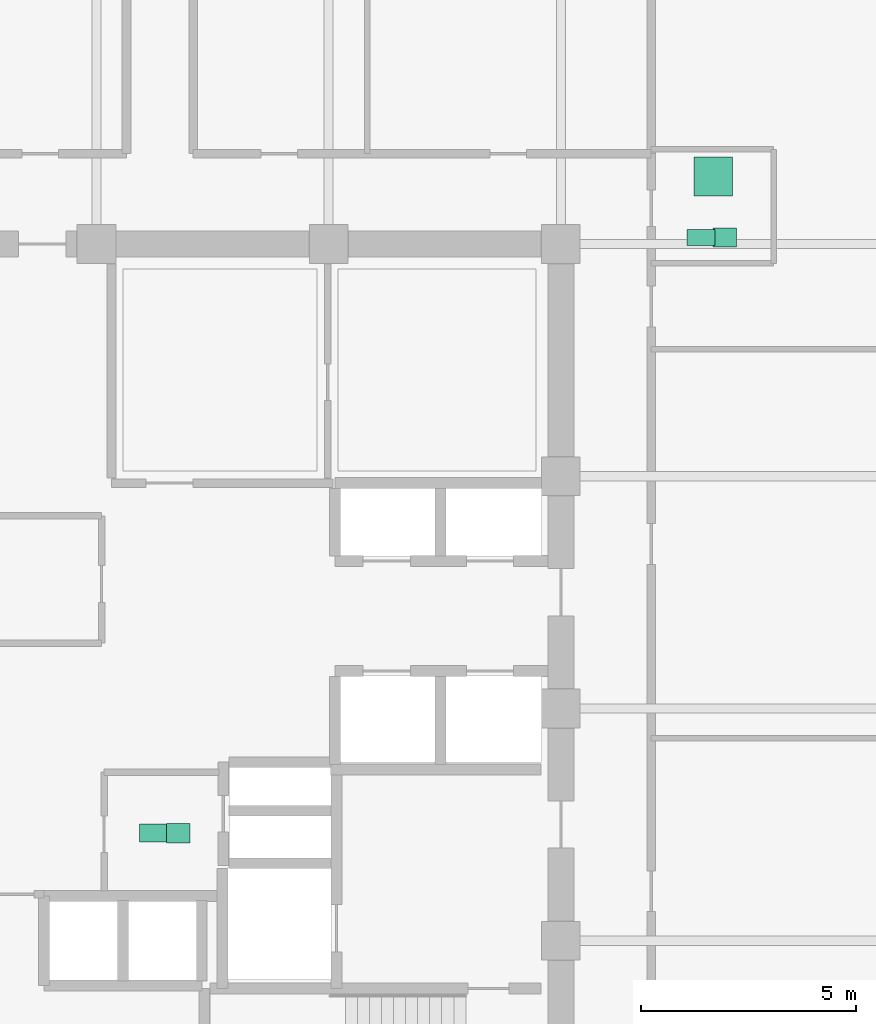
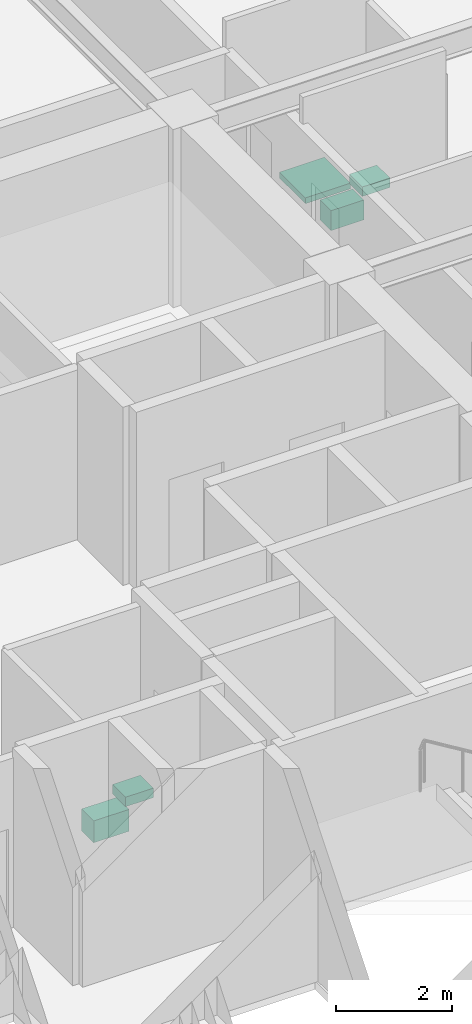
# One storey, part 32 of 32: 5 sanitary terminals.
"""IFC4 building model written with IfcOpenShell, lengths in metres."""

from ifc_helpers import new_model, si_unit, direction, frame, origin, origin_2d, place, context, subcontext, project, spatial, rectangle, extrude, material, type_object, element, save


model = new_model("IFC4")

# Units and contexts
model_context = context("Model", 3, precision=1e-05, world=origin(), true_north=direction((0.0, 1.0)))
body_context = subcontext(model_context, "Body", "Model", "MODEL_VIEW")
ifc_project = project(units=[si_unit("LENGTHUNIT", "METRE"), si_unit("AREAUNIT", "SQUARE_METRE"), si_unit("VOLUMEUNIT", "CUBIC_METRE"), si_unit("PLANEANGLEUNIT", "RADIAN"), si_unit("MASSUNIT", "GRAM", prefix="KILO")], contexts=[model_context])

# Site, building, storey
site_placement = place(None, origin())
site = spatial("IfcSite", under=ifc_project, at=site_placement, CompositionType="ELEMENT")
building_placement = place(site_placement, origin())
building = spatial("IfcBuilding", under=site, at=building_placement, Name="Surkhivell Harbour Commons", CompositionType="ELEMENT")
storey_placement = place(building_placement, frame((0.0, 0.0, 189.75)))
storey = spatial("IfcBuildingStorey", under=building, at=storey_placement, Name="L49", CompositionType="ELEMENT", Elevation=189.75)

# Sanitary terminals
ifc_material_1 = material(Name="Vitreous china washbasin", Category="other")
sanitary_terminal_type_1 = type_object("IfcSanitaryTerminalType", Name="SAN-BSN", PredefinedType="WASHHANDBASIN", material=ifc_material_1)
for number, where, z_axis, x_axis, name in (
    (1, (1.89990234375, -2.89990234375, 0.72021484375), (0.0, 0.0, 1.0), (1.0, 0.0, 0.0), "L49 Core Accessible WC Washbasin"),
    (2, (14.610107421875, 10.949951171875, 0.72021484375), (0.0, 0.0, 1.0), (1.0, 0.0, 0.0), "L49 East Communal Bathroom WC Washbasin"),
):
    element("IfcSanitaryTerminal", number, at=place(storey_placement, frame(where, z_axis=z_axis, x_axis=x_axis)), inside=storey, type_object=sanitary_terminal_type_1, Name=name, PredefinedType="WASHHANDBASIN", context=body_context, shape_type="SweptSolid", body=[
        extrude(rectangle(XDim=0.550048828125, YDim=0.449951171875, at=origin_2d()), origin(), (0.0, 0.0, 1.0), 0.199951171875),
    ])
ifc_material_2 = material(Name="Glazed porcelain shower tray", Category="other")
sanitary_terminal_type_2 = type_object("IfcSanitaryTerminalType", Name="SAN-SHW", PredefinedType="SHOWER", material=ifc_material_2)
sanitary_terminal_1_placement = place(storey_placement, frame((14.340087890625, 12.3701171875, 0.0), z_axis=(0.0, 0.0, 1.0), x_axis=(1.0, 0.0, 0.0)))
element("IfcSanitaryTerminal", 3, at=sanitary_terminal_1_placement, inside=storey, type_object=sanitary_terminal_type_2, Name="L49 East Communal Shower Tray", PredefinedType="SHOWER", context=body_context, shape_type="SweptSolid", body=[
    extrude(rectangle(XDim=0.89990234375, YDim=0.89990234375, at=origin_2d()), origin(), (0.0, 0.0, 1.0), 0.1201171875),
])
ifc_material_3 = material(Name="Vitreous china sanitaryware", Category="other")
sanitary_terminal_type_3 = type_object("IfcSanitaryTerminalType", Name="SAN-WC-ACC", PredefinedType="TOILETPAN", material=ifc_material_3)
sanitary_terminal_2_placement = place(storey_placement, frame((1.35009765625, -2.89990234375, 0.169921875), z_axis=(0.0, 0.0, 1.0), x_axis=(1.0, 0.0, 0.0)))
element("IfcSanitaryTerminal", 4, at=sanitary_terminal_2_placement, inside=storey, type_object=sanitary_terminal_type_3, Name="L49 Core Accessible WC", PredefinedType="TOILETPAN", context=body_context, shape_type="SweptSolid", body=[
    extrude(rectangle(XDim=0.699951171875, YDim=0.419921875, at=origin_2d()), origin(), (0.0, 0.0, 1.0), 0.4599609375),
])
sanitary_terminal_type_4 = type_object("IfcSanitaryTerminalType", Name="SAN-WC-STD", PredefinedType="TOILETPAN", material=ifc_material_3)
sanitary_terminal_3_placement = place(storey_placement, frame((14.06005859375, 10.949951171875, 0.18994140625), z_axis=(0.0, 0.0, 1.0), x_axis=(1.0, 0.0, 0.0)))
element("IfcSanitaryTerminal", 5, at=sanitary_terminal_3_placement, inside=storey, type_object=sanitary_terminal_type_4, Name="L49 East Communal Bathroom WC", PredefinedType="TOILETPAN", context=body_context, shape_type="SweptSolid", body=[
    extrude(rectangle(XDim=0.64990234375, YDim=0.3798828125, at=origin_2d()), origin(), (0.0, 0.0, 1.0), 0.419921875),
])

save(model, "model.ifc")
